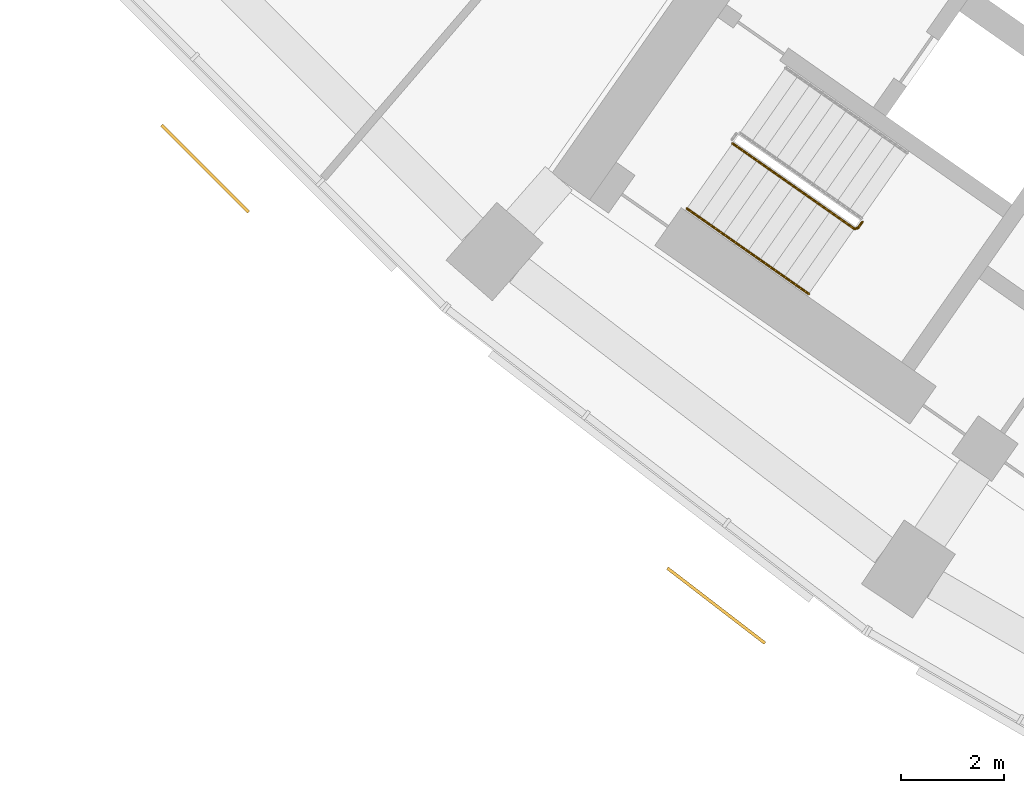
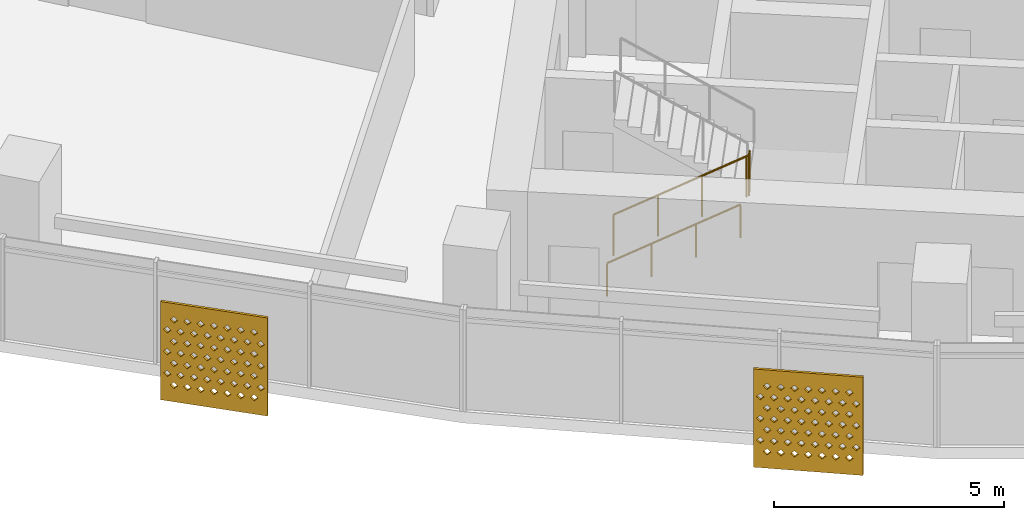
# One storey, part 24 of 30: 2 railings, 2 shading devices.
"""IFC4 building model written with IfcOpenShell, lengths in metres."""

from ifc_helpers import new_model, si_unit, direction, frame, origin, origin_2d, place, context, subcontext, project, spatial, polyline, circle, outline, extrude, material, material_profile, profile_set, type_object, element, save


model = new_model("IFC4")

# Units and contexts
model_context = context("Model", 3, precision=1e-05, world=origin(), true_north=direction((0.0, 1.0)))
body_context = subcontext(model_context, "Body", "Model", "MODEL_VIEW")
ifc_project = project(units=[si_unit("LENGTHUNIT", "METRE"), si_unit("AREAUNIT", "SQUARE_METRE"), si_unit("VOLUMEUNIT", "CUBIC_METRE"), si_unit("PLANEANGLEUNIT", "RADIAN"), si_unit("MASSUNIT", "GRAM", prefix="KILO")], contexts=[model_context])

# Site, building, storey
site_placement = place(None, origin())
site = spatial("IfcSite", under=ifc_project, at=site_placement, CompositionType="ELEMENT")
building_placement = place(site_placement, origin())
building = spatial("IfcBuilding", under=site, at=building_placement, Name="Qamariyya Broadcast Tower", CompositionType="ELEMENT")
storey_placement = place(building_placement, frame((0.0, 0.0, 98.699951171875)))
storey = spatial("IfcBuildingStorey", under=building, at=storey_placement, Name="L21", CompositionType="ELEMENT", Elevation=98.699951171875)

# Shading devices
ifc_material_1 = material(Name="Perforated glazed terracotta", Category="masonry")
ifc_material_profile = material_profile(ifc_material_1, outline(polyline([(-1.199951171875, -1.300048828125), (1.199951171875, -1.300048828125), (1.199951171875, 1.300048828125), (-1.199951171875, 1.300048828125), (-1.199951171875, -1.300048828125)]), holes=[polyline([(-0.81494140625, -0.86669921875), (-0.89990234375, -0.78173828125), (-0.985107421875, -0.86669921875), (-0.89990234375, -0.95166015625), (-0.81494140625, -0.86669921875)]), polyline([(-0.514892578125, -0.86669921875), (-0.60009765625, -0.78173828125), (-0.68505859375, -0.86669921875), (-0.60009765625, -0.95166015625), (-0.514892578125, -0.86669921875)]), polyline([(-0.215087890625, -0.86669921875), (-0.300048828125, -0.78173828125), (-0.385009765625, -0.86669921875), (-0.300048828125, -0.95166015625), (-0.215087890625, -0.86669921875)]), polyline([(0.0849609375, -0.86669921875), (0.0, -0.78173828125), (-0.0849609375, -0.86669921875), (0.0, -0.95166015625), (0.0849609375, -0.86669921875)]), polyline([(0.385009765625, -0.86669921875), (0.300048828125, -0.78173828125), (0.215087890625, -0.86669921875), (0.300048828125, -0.95166015625), (0.385009765625, -0.86669921875)]), polyline([(0.68505859375, -0.86669921875), (0.60009765625, -0.78173828125), (0.514892578125, -0.86669921875), (0.60009765625, -0.95166015625), (0.68505859375, -0.86669921875)]), polyline([(0.985107421875, -0.86669921875), (0.89990234375, -0.78173828125), (0.81494140625, -0.86669921875), (0.89990234375, -0.95166015625), (0.985107421875, -0.86669921875)]), polyline([(-0.965087890625, -0.577880859375), (-1.050048828125, -0.49267578125), (-1.135009765625, -0.577880859375), (-1.050048828125, -0.662841796875), (-0.965087890625, -0.577880859375)]), polyline([(-0.6650390625, -0.577880859375), (-0.75, -0.49267578125), (-0.8349609375, -0.577880859375), (-0.75, -0.662841796875), (-0.6650390625, -0.577880859375)]), polyline([(-0.364990234375, -0.577880859375), (-0.449951171875, -0.49267578125), (-0.534912109375, -0.577880859375), (-0.449951171875, -0.662841796875), (-0.364990234375, -0.577880859375)]), polyline([(-0.06494140625, -0.577880859375), (-0.14990234375, -0.49267578125), (-0.235107421875, -0.577880859375), (-0.14990234375, -0.662841796875), (-0.06494140625, -0.577880859375)]), polyline([(0.235107421875, -0.577880859375), (0.14990234375, -0.49267578125), (0.06494140625, -0.577880859375), (0.14990234375, -0.662841796875), (0.235107421875, -0.577880859375)]), polyline([(0.534912109375, -0.577880859375), (0.449951171875, -0.49267578125), (0.364990234375, -0.577880859375), (0.449951171875, -0.662841796875), (0.534912109375, -0.577880859375)]), polyline([(0.8349609375, -0.577880859375), (0.75, -0.49267578125), (0.6650390625, -0.577880859375), (0.75, -0.662841796875), (0.8349609375, -0.577880859375)]), polyline([(1.135009765625, -0.577880859375), (1.050048828125, -0.49267578125), (0.965087890625, -0.577880859375), (1.050048828125, -0.662841796875), (1.135009765625, -0.577880859375)]), polyline([(-0.81494140625, -0.288818359375), (-0.89990234375, -0.203857421875), (-0.985107421875, -0.288818359375), (-0.89990234375, -0.373779296875), (-0.81494140625, -0.288818359375)]), polyline([(-0.514892578125, -0.288818359375), (-0.60009765625, -0.203857421875), (-0.68505859375, -0.288818359375), (-0.60009765625, -0.373779296875), (-0.514892578125, -0.288818359375)]), polyline([(-0.215087890625, -0.288818359375), (-0.300048828125, -0.203857421875), (-0.385009765625, -0.288818359375), (-0.300048828125, -0.373779296875), (-0.215087890625, -0.288818359375)]), polyline([(0.0849609375, -0.288818359375), (0.0, -0.203857421875), (-0.0849609375, -0.288818359375), (0.0, -0.373779296875), (0.0849609375, -0.288818359375)]), polyline([(0.385009765625, -0.288818359375), (0.300048828125, -0.203857421875), (0.215087890625, -0.288818359375), (0.300048828125, -0.373779296875), (0.385009765625, -0.288818359375)]), polyline([(0.68505859375, -0.288818359375), (0.60009765625, -0.203857421875), (0.514892578125, -0.288818359375), (0.60009765625, -0.373779296875), (0.68505859375, -0.288818359375)]), polyline([(0.985107421875, -0.288818359375), (0.89990234375, -0.203857421875), (0.81494140625, -0.288818359375), (0.89990234375, -0.373779296875), (0.985107421875, -0.288818359375)]), polyline([(-0.965087890625, 0.0), (-1.050048828125, 0.0849609375), (-1.135009765625, 0.0), (-1.050048828125, -0.0849609375), (-0.965087890625, 0.0)]), polyline([(-0.6650390625, 0.0), (-0.75, 0.0849609375), (-0.8349609375, 0.0), (-0.75, -0.0849609375), (-0.6650390625, 0.0)]), polyline([(-0.364990234375, 0.0), (-0.449951171875, 0.0849609375), (-0.534912109375, 0.0), (-0.449951171875, -0.0849609375), (-0.364990234375, 0.0)]), polyline([(-0.06494140625, 0.0), (-0.14990234375, 0.0849609375), (-0.235107421875, 0.0), (-0.14990234375, -0.0849609375), (-0.06494140625, 0.0)]), polyline([(0.235107421875, 0.0), (0.14990234375, 0.0849609375), (0.06494140625, 0.0), (0.14990234375, -0.0849609375), (0.235107421875, 0.0)]), polyline([(0.534912109375, 0.0), (0.449951171875, 0.0849609375), (0.364990234375, 0.0), (0.449951171875, -0.0849609375), (0.534912109375, 0.0)]), polyline([(0.8349609375, 0.0), (0.75, 0.0849609375), (0.6650390625, 0.0), (0.75, -0.0849609375), (0.8349609375, 0.0)]), polyline([(1.135009765625, 0.0), (1.050048828125, 0.0849609375), (0.965087890625, 0.0), (1.050048828125, -0.0849609375), (1.135009765625, 0.0)]), polyline([(-0.81494140625, 0.288818359375), (-0.89990234375, 0.373779296875), (-0.985107421875, 0.288818359375), (-0.89990234375, 0.203857421875), (-0.81494140625, 0.288818359375)]), polyline([(-0.514892578125, 0.288818359375), (-0.60009765625, 0.373779296875), (-0.68505859375, 0.288818359375), (-0.60009765625, 0.203857421875), (-0.514892578125, 0.288818359375)]), polyline([(-0.215087890625, 0.288818359375), (-0.300048828125, 0.373779296875), (-0.385009765625, 0.288818359375), (-0.300048828125, 0.203857421875), (-0.215087890625, 0.288818359375)]), polyline([(0.0849609375, 0.288818359375), (0.0, 0.373779296875), (-0.0849609375, 0.288818359375), (0.0, 0.203857421875), (0.0849609375, 0.288818359375)]), polyline([(0.385009765625, 0.288818359375), (0.300048828125, 0.373779296875), (0.215087890625, 0.288818359375), (0.300048828125, 0.203857421875), (0.385009765625, 0.288818359375)]), polyline([(0.68505859375, 0.288818359375), (0.60009765625, 0.373779296875), (0.514892578125, 0.288818359375), (0.60009765625, 0.203857421875), (0.68505859375, 0.288818359375)]), polyline([(0.985107421875, 0.288818359375), (0.89990234375, 0.373779296875), (0.81494140625, 0.288818359375), (0.89990234375, 0.203857421875), (0.985107421875, 0.288818359375)]), polyline([(-0.965087890625, 0.577880859375), (-1.050048828125, 0.662841796875), (-1.135009765625, 0.577880859375), (-1.050048828125, 0.49267578125), (-0.965087890625, 0.577880859375)]), polyline([(-0.6650390625, 0.577880859375), (-0.75, 0.662841796875), (-0.8349609375, 0.577880859375), (-0.75, 0.49267578125), (-0.6650390625, 0.577880859375)]), polyline([(-0.364990234375, 0.577880859375), (-0.449951171875, 0.662841796875), (-0.534912109375, 0.577880859375), (-0.449951171875, 0.49267578125), (-0.364990234375, 0.577880859375)]), polyline([(-0.06494140625, 0.577880859375), (-0.14990234375, 0.662841796875), (-0.235107421875, 0.577880859375), (-0.14990234375, 0.49267578125), (-0.06494140625, 0.577880859375)]), polyline([(0.235107421875, 0.577880859375), (0.14990234375, 0.662841796875), (0.06494140625, 0.577880859375), (0.14990234375, 0.49267578125), (0.235107421875, 0.577880859375)]), polyline([(0.534912109375, 0.577880859375), (0.449951171875, 0.662841796875), (0.364990234375, 0.577880859375), (0.449951171875, 0.49267578125), (0.534912109375, 0.577880859375)]), polyline([(0.8349609375, 0.577880859375), (0.75, 0.662841796875), (0.6650390625, 0.577880859375), (0.75, 0.49267578125), (0.8349609375, 0.577880859375)]), polyline([(1.135009765625, 0.577880859375), (1.050048828125, 0.662841796875), (0.965087890625, 0.577880859375), (1.050048828125, 0.49267578125), (1.135009765625, 0.577880859375)]), polyline([(-0.81494140625, 0.86669921875), (-0.89990234375, 0.95166015625), (-0.985107421875, 0.86669921875), (-0.89990234375, 0.78173828125), (-0.81494140625, 0.86669921875)]), polyline([(-0.514892578125, 0.86669921875), (-0.60009765625, 0.95166015625), (-0.68505859375, 0.86669921875), (-0.60009765625, 0.78173828125), (-0.514892578125, 0.86669921875)]), polyline([(-0.215087890625, 0.86669921875), (-0.300048828125, 0.95166015625), (-0.385009765625, 0.86669921875), (-0.300048828125, 0.78173828125), (-0.215087890625, 0.86669921875)]), polyline([(0.0849609375, 0.86669921875), (0.0, 0.95166015625), (-0.0849609375, 0.86669921875), (0.0, 0.78173828125), (0.0849609375, 0.86669921875)]), polyline([(0.385009765625, 0.86669921875), (0.300048828125, 0.95166015625), (0.215087890625, 0.86669921875), (0.300048828125, 0.78173828125), (0.385009765625, 0.86669921875)]), polyline([(0.68505859375, 0.86669921875), (0.60009765625, 0.95166015625), (0.514892578125, 0.86669921875), (0.60009765625, 0.78173828125), (0.68505859375, 0.86669921875)]), polyline([(0.985107421875, 0.86669921875), (0.89990234375, 0.95166015625), (0.81494140625, 0.86669921875), (0.89990234375, 0.78173828125), (0.985107421875, 0.86669921875)])]))
ifc_profile_set = profile_set([ifc_material_profile], Name="Perforated glazed terracotta")
shading_device_type = type_object("IfcShadingDeviceType", Name="Perforated terracotta screen 2400 x 2600", PredefinedType="USERDEFINED", material=ifc_profile_set)
shading_device_1_placement = place(storey_placement, frame((-56.884521484375, -56.818603515625, 1.35009765625), z_axis=(-0.707106781187, -0.707106781187, 0.0), x_axis=(0.707106781187, -0.707106781187, 0.0)))
element("IfcShadingDevice", 1, at=shading_device_1_placement, inside=storey, type_object=shading_device_type, Name="e-scr-L21-03-1", ObjectType="SCREEN", PredefinedType="USERDEFINED", context=body_context, shape_type="SweptSolid", body=[
    extrude(outline(polyline([(-1.199951171875, -1.300048828125), (1.199951171875, -1.300048828125), (1.199951171875, 1.300048828125), (-1.199951171875, 1.300048828125), (-1.199951171875, -1.300048828125)]), holes=[polyline([(-0.81494140625, -0.86669921875), (-0.89990234375, -0.78173828125), (-0.985107421875, -0.86669921875), (-0.89990234375, -0.95166015625), (-0.81494140625, -0.86669921875)]), polyline([(-0.514892578125, -0.86669921875), (-0.60009765625, -0.78173828125), (-0.68505859375, -0.86669921875), (-0.60009765625, -0.95166015625), (-0.514892578125, -0.86669921875)]), polyline([(-0.215087890625, -0.86669921875), (-0.300048828125, -0.78173828125), (-0.385009765625, -0.86669921875), (-0.300048828125, -0.95166015625), (-0.215087890625, -0.86669921875)]), polyline([(0.0849609375, -0.86669921875), (0.0, -0.78173828125), (-0.0849609375, -0.86669921875), (0.0, -0.95166015625), (0.0849609375, -0.86669921875)]), polyline([(0.385009765625, -0.86669921875), (0.300048828125, -0.78173828125), (0.215087890625, -0.86669921875), (0.300048828125, -0.95166015625), (0.385009765625, -0.86669921875)]), polyline([(0.68505859375, -0.86669921875), (0.60009765625, -0.78173828125), (0.514892578125, -0.86669921875), (0.60009765625, -0.95166015625), (0.68505859375, -0.86669921875)]), polyline([(0.985107421875, -0.86669921875), (0.89990234375, -0.78173828125), (0.81494140625, -0.86669921875), (0.89990234375, -0.95166015625), (0.985107421875, -0.86669921875)]), polyline([(-0.965087890625, -0.577880859375), (-1.050048828125, -0.49267578125), (-1.135009765625, -0.577880859375), (-1.050048828125, -0.662841796875), (-0.965087890625, -0.577880859375)]), polyline([(-0.6650390625, -0.577880859375), (-0.75, -0.49267578125), (-0.8349609375, -0.577880859375), (-0.75, -0.662841796875), (-0.6650390625, -0.577880859375)]), polyline([(-0.364990234375, -0.577880859375), (-0.449951171875, -0.49267578125), (-0.534912109375, -0.577880859375), (-0.449951171875, -0.662841796875), (-0.364990234375, -0.577880859375)]), polyline([(-0.06494140625, -0.577880859375), (-0.14990234375, -0.49267578125), (-0.235107421875, -0.577880859375), (-0.14990234375, -0.662841796875), (-0.06494140625, -0.577880859375)]), polyline([(0.235107421875, -0.577880859375), (0.14990234375, -0.49267578125), (0.06494140625, -0.577880859375), (0.14990234375, -0.662841796875), (0.235107421875, -0.577880859375)]), polyline([(0.534912109375, -0.577880859375), (0.449951171875, -0.49267578125), (0.364990234375, -0.577880859375), (0.449951171875, -0.662841796875), (0.534912109375, -0.577880859375)]), polyline([(0.8349609375, -0.577880859375), (0.75, -0.49267578125), (0.6650390625, -0.577880859375), (0.75, -0.662841796875), (0.8349609375, -0.577880859375)]), polyline([(1.135009765625, -0.577880859375), (1.050048828125, -0.49267578125), (0.965087890625, -0.577880859375), (1.050048828125, -0.662841796875), (1.135009765625, -0.577880859375)]), polyline([(-0.81494140625, -0.288818359375), (-0.89990234375, -0.203857421875), (-0.985107421875, -0.288818359375), (-0.89990234375, -0.373779296875), (-0.81494140625, -0.288818359375)]), polyline([(-0.514892578125, -0.288818359375), (-0.60009765625, -0.203857421875), (-0.68505859375, -0.288818359375), (-0.60009765625, -0.373779296875), (-0.514892578125, -0.288818359375)]), polyline([(-0.215087890625, -0.288818359375), (-0.300048828125, -0.203857421875), (-0.385009765625, -0.288818359375), (-0.300048828125, -0.373779296875), (-0.215087890625, -0.288818359375)]), polyline([(0.0849609375, -0.288818359375), (0.0, -0.203857421875), (-0.0849609375, -0.288818359375), (0.0, -0.373779296875), (0.0849609375, -0.288818359375)]), polyline([(0.385009765625, -0.288818359375), (0.300048828125, -0.203857421875), (0.215087890625, -0.288818359375), (0.300048828125, -0.373779296875), (0.385009765625, -0.288818359375)]), polyline([(0.68505859375, -0.288818359375), (0.60009765625, -0.203857421875), (0.514892578125, -0.288818359375), (0.60009765625, -0.373779296875), (0.68505859375, -0.288818359375)]), polyline([(0.985107421875, -0.288818359375), (0.89990234375, -0.203857421875), (0.81494140625, -0.288818359375), (0.89990234375, -0.373779296875), (0.985107421875, -0.288818359375)]), polyline([(-0.965087890625, 0.0), (-1.050048828125, 0.0849609375), (-1.135009765625, 0.0), (-1.050048828125, -0.0849609375), (-0.965087890625, 0.0)]), polyline([(-0.6650390625, 0.0), (-0.75, 0.0849609375), (-0.8349609375, 0.0), (-0.75, -0.0849609375), (-0.6650390625, 0.0)]), polyline([(-0.364990234375, 0.0), (-0.449951171875, 0.0849609375), (-0.534912109375, 0.0), (-0.449951171875, -0.0849609375), (-0.364990234375, 0.0)]), polyline([(-0.06494140625, 0.0), (-0.14990234375, 0.0849609375), (-0.235107421875, 0.0), (-0.14990234375, -0.0849609375), (-0.06494140625, 0.0)]), polyline([(0.235107421875, 0.0), (0.14990234375, 0.0849609375), (0.06494140625, 0.0), (0.14990234375, -0.0849609375), (0.235107421875, 0.0)]), polyline([(0.534912109375, 0.0), (0.449951171875, 0.0849609375), (0.364990234375, 0.0), (0.449951171875, -0.0849609375), (0.534912109375, 0.0)]), polyline([(0.8349609375, 0.0), (0.75, 0.0849609375), (0.6650390625, 0.0), (0.75, -0.0849609375), (0.8349609375, 0.0)]), polyline([(1.135009765625, 0.0), (1.050048828125, 0.0849609375), (0.965087890625, 0.0), (1.050048828125, -0.0849609375), (1.135009765625, 0.0)]), polyline([(-0.81494140625, 0.288818359375), (-0.89990234375, 0.373779296875), (-0.985107421875, 0.288818359375), (-0.89990234375, 0.203857421875), (-0.81494140625, 0.288818359375)]), polyline([(-0.514892578125, 0.288818359375), (-0.60009765625, 0.373779296875), (-0.68505859375, 0.288818359375), (-0.60009765625, 0.203857421875), (-0.514892578125, 0.288818359375)]), polyline([(-0.215087890625, 0.288818359375), (-0.300048828125, 0.373779296875), (-0.385009765625, 0.288818359375), (-0.300048828125, 0.203857421875), (-0.215087890625, 0.288818359375)]), polyline([(0.0849609375, 0.288818359375), (0.0, 0.373779296875), (-0.0849609375, 0.288818359375), (0.0, 0.203857421875), (0.0849609375, 0.288818359375)]), polyline([(0.385009765625, 0.288818359375), (0.300048828125, 0.373779296875), (0.215087890625, 0.288818359375), (0.300048828125, 0.203857421875), (0.385009765625, 0.288818359375)]), polyline([(0.68505859375, 0.288818359375), (0.60009765625, 0.373779296875), (0.514892578125, 0.288818359375), (0.60009765625, 0.203857421875), (0.68505859375, 0.288818359375)]), polyline([(0.985107421875, 0.288818359375), (0.89990234375, 0.373779296875), (0.81494140625, 0.288818359375), (0.89990234375, 0.203857421875), (0.985107421875, 0.288818359375)]), polyline([(-0.965087890625, 0.577880859375), (-1.050048828125, 0.662841796875), (-1.135009765625, 0.577880859375), (-1.050048828125, 0.49267578125), (-0.965087890625, 0.577880859375)]), polyline([(-0.6650390625, 0.577880859375), (-0.75, 0.662841796875), (-0.8349609375, 0.577880859375), (-0.75, 0.49267578125), (-0.6650390625, 0.577880859375)]), polyline([(-0.364990234375, 0.577880859375), (-0.449951171875, 0.662841796875), (-0.534912109375, 0.577880859375), (-0.449951171875, 0.49267578125), (-0.364990234375, 0.577880859375)]), polyline([(-0.06494140625, 0.577880859375), (-0.14990234375, 0.662841796875), (-0.235107421875, 0.577880859375), (-0.14990234375, 0.49267578125), (-0.06494140625, 0.577880859375)]), polyline([(0.235107421875, 0.577880859375), (0.14990234375, 0.662841796875), (0.06494140625, 0.577880859375), (0.14990234375, 0.49267578125), (0.235107421875, 0.577880859375)]), polyline([(0.534912109375, 0.577880859375), (0.449951171875, 0.662841796875), (0.364990234375, 0.577880859375), (0.449951171875, 0.49267578125), (0.534912109375, 0.577880859375)]), polyline([(0.8349609375, 0.577880859375), (0.75, 0.662841796875), (0.6650390625, 0.577880859375), (0.75, 0.49267578125), (0.8349609375, 0.577880859375)]), polyline([(1.135009765625, 0.577880859375), (1.050048828125, 0.662841796875), (0.965087890625, 0.577880859375), (1.050048828125, 0.49267578125), (1.135009765625, 0.577880859375)]), polyline([(-0.81494140625, 0.86669921875), (-0.89990234375, 0.95166015625), (-0.985107421875, 0.86669921875), (-0.89990234375, 0.78173828125), (-0.81494140625, 0.86669921875)]), polyline([(-0.514892578125, 0.86669921875), (-0.60009765625, 0.95166015625), (-0.68505859375, 0.86669921875), (-0.60009765625, 0.78173828125), (-0.514892578125, 0.86669921875)]), polyline([(-0.215087890625, 0.86669921875), (-0.300048828125, 0.95166015625), (-0.385009765625, 0.86669921875), (-0.300048828125, 0.78173828125), (-0.215087890625, 0.86669921875)]), polyline([(0.0849609375, 0.86669921875), (0.0, 0.95166015625), (-0.0849609375, 0.86669921875), (0.0, 0.78173828125), (0.0849609375, 0.86669921875)]), polyline([(0.385009765625, 0.86669921875), (0.300048828125, 0.95166015625), (0.215087890625, 0.86669921875), (0.300048828125, 0.78173828125), (0.385009765625, 0.86669921875)]), polyline([(0.68505859375, 0.86669921875), (0.60009765625, 0.95166015625), (0.514892578125, 0.86669921875), (0.60009765625, 0.78173828125), (0.68505859375, 0.86669921875)]), polyline([(0.985107421875, 0.86669921875), (0.89990234375, 0.95166015625), (0.81494140625, 0.86669921875), (0.89990234375, 0.78173828125), (0.985107421875, 0.86669921875)])]), origin(), (0.0, 0.0, 1.0), 0.06005859375),
])
shading_device_2_placement = place(storey_placement, frame((-46.924072265625, -65.3359375, 1.35009765625), z_axis=(-0.60971076085, -0.792623989105, 0.0), x_axis=(0.792623989105, -0.60971076085, 0.0)))
element("IfcShadingDevice", 2, at=shading_device_2_placement, inside=storey, type_object=shading_device_type, Name="e-scr-L21-04-2", ObjectType="SCREEN", PredefinedType="USERDEFINED", context=body_context, shape_type="SweptSolid", body=[
    extrude(outline(polyline([(-1.199951171875, -1.300048828125), (1.199951171875, -1.300048828125), (1.199951171875, 1.300048828125), (-1.199951171875, 1.300048828125), (-1.199951171875, -1.300048828125)]), holes=[polyline([(-0.81494140625, -0.86669921875), (-0.89990234375, -0.78173828125), (-0.985107421875, -0.86669921875), (-0.89990234375, -0.95166015625), (-0.81494140625, -0.86669921875)]), polyline([(-0.514892578125, -0.86669921875), (-0.60009765625, -0.78173828125), (-0.68505859375, -0.86669921875), (-0.60009765625, -0.95166015625), (-0.514892578125, -0.86669921875)]), polyline([(-0.215087890625, -0.86669921875), (-0.300048828125, -0.78173828125), (-0.385009765625, -0.86669921875), (-0.300048828125, -0.95166015625), (-0.215087890625, -0.86669921875)]), polyline([(0.0849609375, -0.86669921875), (0.0, -0.78173828125), (-0.0849609375, -0.86669921875), (0.0, -0.95166015625), (0.0849609375, -0.86669921875)]), polyline([(0.385009765625, -0.86669921875), (0.300048828125, -0.78173828125), (0.215087890625, -0.86669921875), (0.300048828125, -0.95166015625), (0.385009765625, -0.86669921875)]), polyline([(0.68505859375, -0.86669921875), (0.60009765625, -0.78173828125), (0.514892578125, -0.86669921875), (0.60009765625, -0.95166015625), (0.68505859375, -0.86669921875)]), polyline([(0.985107421875, -0.86669921875), (0.89990234375, -0.78173828125), (0.81494140625, -0.86669921875), (0.89990234375, -0.95166015625), (0.985107421875, -0.86669921875)]), polyline([(-0.965087890625, -0.577880859375), (-1.050048828125, -0.49267578125), (-1.135009765625, -0.577880859375), (-1.050048828125, -0.662841796875), (-0.965087890625, -0.577880859375)]), polyline([(-0.6650390625, -0.577880859375), (-0.75, -0.49267578125), (-0.8349609375, -0.577880859375), (-0.75, -0.662841796875), (-0.6650390625, -0.577880859375)]), polyline([(-0.364990234375, -0.577880859375), (-0.449951171875, -0.49267578125), (-0.534912109375, -0.577880859375), (-0.449951171875, -0.662841796875), (-0.364990234375, -0.577880859375)]), polyline([(-0.06494140625, -0.577880859375), (-0.14990234375, -0.49267578125), (-0.235107421875, -0.577880859375), (-0.14990234375, -0.662841796875), (-0.06494140625, -0.577880859375)]), polyline([(0.235107421875, -0.577880859375), (0.14990234375, -0.49267578125), (0.06494140625, -0.577880859375), (0.14990234375, -0.662841796875), (0.235107421875, -0.577880859375)]), polyline([(0.534912109375, -0.577880859375), (0.449951171875, -0.49267578125), (0.364990234375, -0.577880859375), (0.449951171875, -0.662841796875), (0.534912109375, -0.577880859375)]), polyline([(0.8349609375, -0.577880859375), (0.75, -0.49267578125), (0.6650390625, -0.577880859375), (0.75, -0.662841796875), (0.8349609375, -0.577880859375)]), polyline([(1.135009765625, -0.577880859375), (1.050048828125, -0.49267578125), (0.965087890625, -0.577880859375), (1.050048828125, -0.662841796875), (1.135009765625, -0.577880859375)]), polyline([(-0.81494140625, -0.288818359375), (-0.89990234375, -0.203857421875), (-0.985107421875, -0.288818359375), (-0.89990234375, -0.373779296875), (-0.81494140625, -0.288818359375)]), polyline([(-0.514892578125, -0.288818359375), (-0.60009765625, -0.203857421875), (-0.68505859375, -0.288818359375), (-0.60009765625, -0.373779296875), (-0.514892578125, -0.288818359375)]), polyline([(-0.215087890625, -0.288818359375), (-0.300048828125, -0.203857421875), (-0.385009765625, -0.288818359375), (-0.300048828125, -0.373779296875), (-0.215087890625, -0.288818359375)]), polyline([(0.0849609375, -0.288818359375), (0.0, -0.203857421875), (-0.0849609375, -0.288818359375), (0.0, -0.373779296875), (0.0849609375, -0.288818359375)]), polyline([(0.385009765625, -0.288818359375), (0.300048828125, -0.203857421875), (0.215087890625, -0.288818359375), (0.300048828125, -0.373779296875), (0.385009765625, -0.288818359375)]), polyline([(0.68505859375, -0.288818359375), (0.60009765625, -0.203857421875), (0.514892578125, -0.288818359375), (0.60009765625, -0.373779296875), (0.68505859375, -0.288818359375)]), polyline([(0.985107421875, -0.288818359375), (0.89990234375, -0.203857421875), (0.81494140625, -0.288818359375), (0.89990234375, -0.373779296875), (0.985107421875, -0.288818359375)]), polyline([(-0.965087890625, 0.0), (-1.050048828125, 0.0849609375), (-1.135009765625, 0.0), (-1.050048828125, -0.0849609375), (-0.965087890625, 0.0)]), polyline([(-0.6650390625, 0.0), (-0.75, 0.0849609375), (-0.8349609375, 0.0), (-0.75, -0.0849609375), (-0.6650390625, 0.0)]), polyline([(-0.364990234375, 0.0), (-0.449951171875, 0.0849609375), (-0.534912109375, 0.0), (-0.449951171875, -0.0849609375), (-0.364990234375, 0.0)]), polyline([(-0.06494140625, 0.0), (-0.14990234375, 0.0849609375), (-0.235107421875, 0.0), (-0.14990234375, -0.0849609375), (-0.06494140625, 0.0)]), polyline([(0.235107421875, 0.0), (0.14990234375, 0.0849609375), (0.06494140625, 0.0), (0.14990234375, -0.0849609375), (0.235107421875, 0.0)]), polyline([(0.534912109375, 0.0), (0.449951171875, 0.0849609375), (0.364990234375, 0.0), (0.449951171875, -0.0849609375), (0.534912109375, 0.0)]), polyline([(0.8349609375, 0.0), (0.75, 0.0849609375), (0.6650390625, 0.0), (0.75, -0.0849609375), (0.8349609375, 0.0)]), polyline([(1.135009765625, 0.0), (1.050048828125, 0.0849609375), (0.965087890625, 0.0), (1.050048828125, -0.0849609375), (1.135009765625, 0.0)]), polyline([(-0.81494140625, 0.288818359375), (-0.89990234375, 0.373779296875), (-0.985107421875, 0.288818359375), (-0.89990234375, 0.203857421875), (-0.81494140625, 0.288818359375)]), polyline([(-0.514892578125, 0.288818359375), (-0.60009765625, 0.373779296875), (-0.68505859375, 0.288818359375), (-0.60009765625, 0.203857421875), (-0.514892578125, 0.288818359375)]), polyline([(-0.215087890625, 0.288818359375), (-0.300048828125, 0.373779296875), (-0.385009765625, 0.288818359375), (-0.300048828125, 0.203857421875), (-0.215087890625, 0.288818359375)]), polyline([(0.0849609375, 0.288818359375), (0.0, 0.373779296875), (-0.0849609375, 0.288818359375), (0.0, 0.203857421875), (0.0849609375, 0.288818359375)]), polyline([(0.385009765625, 0.288818359375), (0.300048828125, 0.373779296875), (0.215087890625, 0.288818359375), (0.300048828125, 0.203857421875), (0.385009765625, 0.288818359375)]), polyline([(0.68505859375, 0.288818359375), (0.60009765625, 0.373779296875), (0.514892578125, 0.288818359375), (0.60009765625, 0.203857421875), (0.68505859375, 0.288818359375)]), polyline([(0.985107421875, 0.288818359375), (0.89990234375, 0.373779296875), (0.81494140625, 0.288818359375), (0.89990234375, 0.203857421875), (0.985107421875, 0.288818359375)]), polyline([(-0.965087890625, 0.577880859375), (-1.050048828125, 0.662841796875), (-1.135009765625, 0.577880859375), (-1.050048828125, 0.49267578125), (-0.965087890625, 0.577880859375)]), polyline([(-0.6650390625, 0.577880859375), (-0.75, 0.662841796875), (-0.8349609375, 0.577880859375), (-0.75, 0.49267578125), (-0.6650390625, 0.577880859375)]), polyline([(-0.364990234375, 0.577880859375), (-0.449951171875, 0.662841796875), (-0.534912109375, 0.577880859375), (-0.449951171875, 0.49267578125), (-0.364990234375, 0.577880859375)]), polyline([(-0.06494140625, 0.577880859375), (-0.14990234375, 0.662841796875), (-0.235107421875, 0.577880859375), (-0.14990234375, 0.49267578125), (-0.06494140625, 0.577880859375)]), polyline([(0.235107421875, 0.577880859375), (0.14990234375, 0.662841796875), (0.06494140625, 0.577880859375), (0.14990234375, 0.49267578125), (0.235107421875, 0.577880859375)]), polyline([(0.534912109375, 0.577880859375), (0.449951171875, 0.662841796875), (0.364990234375, 0.577880859375), (0.449951171875, 0.49267578125), (0.534912109375, 0.577880859375)]), polyline([(0.8349609375, 0.577880859375), (0.75, 0.662841796875), (0.6650390625, 0.577880859375), (0.75, 0.49267578125), (0.8349609375, 0.577880859375)]), polyline([(1.135009765625, 0.577880859375), (1.050048828125, 0.662841796875), (0.965087890625, 0.577880859375), (1.050048828125, 0.49267578125), (1.135009765625, 0.577880859375)]), polyline([(-0.81494140625, 0.86669921875), (-0.89990234375, 0.95166015625), (-0.985107421875, 0.86669921875), (-0.89990234375, 0.78173828125), (-0.81494140625, 0.86669921875)]), polyline([(-0.514892578125, 0.86669921875), (-0.60009765625, 0.95166015625), (-0.68505859375, 0.86669921875), (-0.60009765625, 0.78173828125), (-0.514892578125, 0.86669921875)]), polyline([(-0.215087890625, 0.86669921875), (-0.300048828125, 0.95166015625), (-0.385009765625, 0.86669921875), (-0.300048828125, 0.78173828125), (-0.215087890625, 0.86669921875)]), polyline([(0.0849609375, 0.86669921875), (0.0, 0.95166015625), (-0.0849609375, 0.86669921875), (0.0, 0.78173828125), (0.0849609375, 0.86669921875)]), polyline([(0.385009765625, 0.86669921875), (0.300048828125, 0.95166015625), (0.215087890625, 0.86669921875), (0.300048828125, 0.78173828125), (0.385009765625, 0.86669921875)]), polyline([(0.68505859375, 0.86669921875), (0.60009765625, 0.95166015625), (0.514892578125, 0.86669921875), (0.60009765625, 0.78173828125), (0.68505859375, 0.86669921875)]), polyline([(0.985107421875, 0.86669921875), (0.89990234375, 0.95166015625), (0.81494140625, 0.86669921875), (0.89990234375, 0.78173828125), (0.985107421875, 0.86669921875)])]), origin(), (0.0, 0.0, 1.0), 0.06005859375),
])

# Railings
ifc_material_2 = material(Name="Painted steel", Category="steel")
railing_type_1 = type_object("IfcRailingType", Name="Stair guard", PredefinedType="GUARDRAIL", material=ifc_material_2)
railing_1_placement = place(storey_placement, frame((-46.624267578125, -56.34765625, 0.1728515625)))
element("IfcRailing", 3, at=railing_1_placement, inside=storey, type_object=railing_type_1, Name="L21 ST-W1 stair guard 1", PredefinedType="GUARDRAIL", context=body_context, shape_type="SweptSolid", body=[
    extrude(circle(Radius=0.02392578125, at=origin_2d()), frame((0.0, 0.0, 1.076171875), z_axis=(0.703745009021, -0.492838488332, 0.511715923826), x_axis=(0.573631830683, 0.819113253969, 0.0)), (0.0, 0.0, 1.0), 3.37548828125),
    extrude(circle(Radius=0.02392578125, at=origin_2d()), frame((2.37548828125, -1.66357421875, 2.80322265625), z_axis=(0.984363469884, 0.176149252506, 0.0), x_axis=(-0.176149252506, 0.984363469884, 0.0)), (0.0, 0.0, 1.0), 0.07080078125),
    extrude(circle(Radius=0.02392578125, at=origin_2d()), frame((2.445068359375, -1.651123046875, 2.80322265625), z_axis=(0.574444878118, 0.818543268254, 0.0), x_axis=(-0.818543268254, 0.574444878118, 0.0)), (0.0, 0.0, 1.0), 0.150146484375),
    extrude(circle(Radius=0.02099609375, at=origin_2d()), origin(), (0.0, 0.0, 1.0), 1.052001953125),
    extrude(circle(Radius=0.02099609375, at=origin_2d()), frame((0.791748046875, -0.554443359375, 0.57568359375)), (0.0, 0.0, 1.0), 1.052001953125),
    extrude(circle(Radius=0.02099609375, at=origin_2d()), frame((1.583740234375, -1.109130859375, 1.151611328125)), (0.0, 0.0, 1.0), 1.052001953125),
    extrude(circle(Radius=0.02099609375, at=origin_2d()), frame((2.37548828125, -1.66357421875, 1.727294921875)), (0.0, 0.0, 1.0), 1.052001953125),
    extrude(circle(Radius=0.02099609375, at=origin_2d()), frame((2.445068359375, -1.651123046875, 1.727294921875)), (0.0, 0.0, 1.0), 1.052001953125),
    extrude(circle(Radius=0.02099609375, at=origin_2d()), frame((2.53125, -1.5283203125, 1.727294921875)), (0.0, 0.0, 1.0), 1.052001953125),
])
ifc_material_3 = material(Name="Stainless steel", Category="steel")
railing_type_2 = type_object("IfcRailingType", Name="Stair handrail", PredefinedType="HANDRAIL", material=ifc_material_3)
railing_2_placement = place(storey_placement, frame((-47.513427734375, -57.617431640625, 0.1728515625)))
element("IfcRailing", 4, at=railing_2_placement, inside=storey, type_object=railing_type_2, Name="L21 ST-W1 stair handrail 1", PredefinedType="HANDRAIL", context=body_context, shape_type="SweptSolid", body=[
    extrude(circle(Radius=0.02392578125, at=origin_2d()), frame((0.0, 0.0, 0.8759765625), z_axis=(0.703770094002, -0.492783725636, 0.511734163933), x_axis=(0.573575343427, 0.819152809562, 0.0)), (0.0, 0.0, 1.0), 3.37548828125),
    extrude(circle(Radius=0.02099609375, at=origin_2d()), origin(), (0.0, 0.0, 1.0), 0.851806640625),
    extrude(circle(Radius=0.02099609375, at=origin_2d()), frame((0.791748046875, -0.554443359375, 0.57568359375)), (0.0, 0.0, 1.0), 0.851806640625),
    extrude(circle(Radius=0.02099609375, at=origin_2d()), frame((1.583740234375, -1.10888671875, 1.151611328125)), (0.0, 0.0, 1.0), 0.851806640625),
    extrude(circle(Radius=0.02099609375, at=origin_2d()), frame((2.37548828125, -1.663330078125, 1.727294921875)), (0.0, 0.0, 1.0), 0.851806640625),
])

save(model, "model.ifc")
